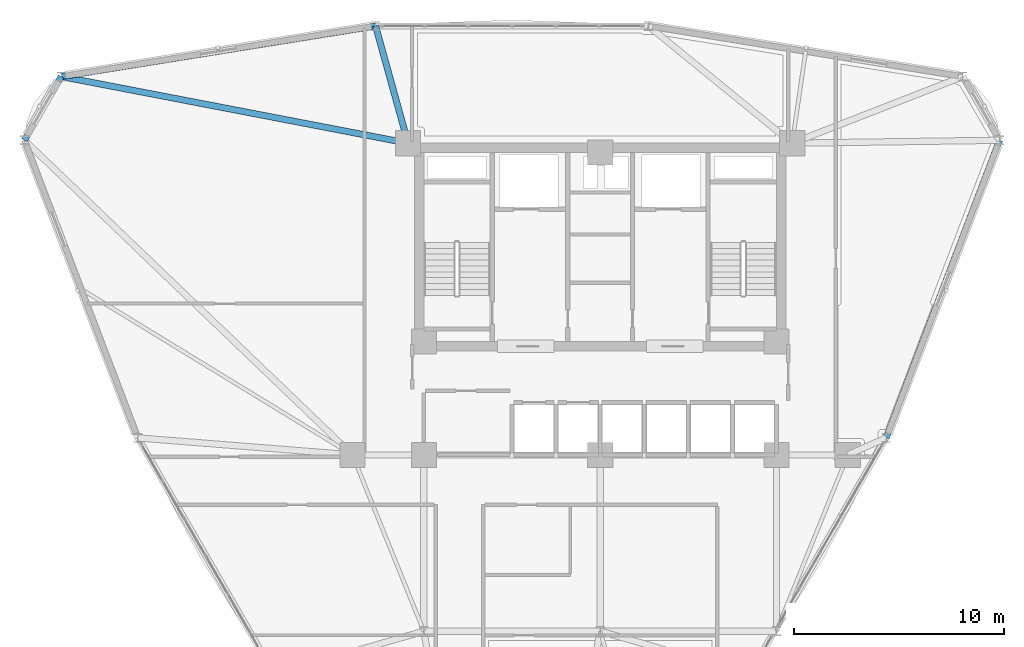
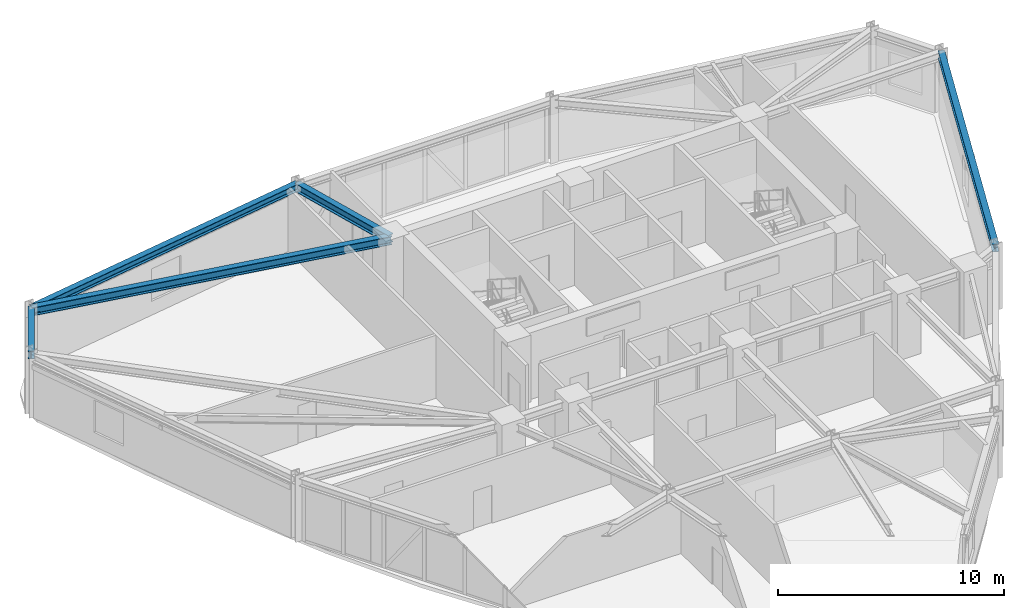
# One storey, part 7 of 15: 5 beams.
"""IFC4 building model written with IfcOpenShell, lengths in metres."""

from ifc_helpers import new_model, si_unit, derived_unit, direction, frame, origin, origin_2d, place, context, subcontext, project, spatial, i_section, extrude, source, transform, mapped, material, material_profile, profile_set, type_object, element, save


model = new_model("IFC4")

# Units and contexts
model_context = context("Model", 3, precision=1e-05, world=origin(), true_north=direction((0.0, 1.0)))
body_context = subcontext(model_context, "Body", "Model", "MODEL_VIEW")
ifc_project = project(units=[si_unit("LENGTHUNIT", "METRE"), si_unit("AREAUNIT", "SQUARE_METRE"), si_unit("VOLUMEUNIT", "CUBIC_METRE"), si_unit("PLANEANGLEUNIT", "RADIAN"), si_unit("MASSUNIT", "GRAM", prefix="KILO"), derived_unit("THERMALTRANSMITTANCEUNIT", [(si_unit("POWERUNIT", "WATT"), 1), (si_unit("LENGTHUNIT", "METRE"), -2), (si_unit("THERMODYNAMICTEMPERATUREUNIT", "KELVIN"), -1)])], contexts=[model_context])

# Site, building, storey
site_placement = place(None, origin())
site = spatial("IfcSite", under=ifc_project, at=site_placement, CompositionType="ELEMENT")
building_placement = place(site_placement, origin())
building = spatial("IfcBuilding", under=site, at=building_placement, Name="Korsvarv Bourse and Concert Hall", CompositionType="ELEMENT")
storey_placement = place(building_placement, frame((0.0, 0.0, 147.0)))
storey = spatial("IfcBuildingStorey", under=building, at=storey_placement, Name="L37", CompositionType="ELEMENT", Elevation=147.0)

# Beams
ifc_material = material(Name="Steel S355", Category="steel")
ifc_material_profile_1 = material_profile(ifc_material, i_section(OverallWidth=0.300048828125, OverallDepth=0.39990234375, WebThickness=0.013427734375, FlangeThickness=0.02392578125, FilletRadius=0.02099609375, at=origin_2d()), Name="HEB 400")
ifc_profile_set_1 = profile_set([ifc_material_profile_1], Name="Steel S355")
beam_type_1 = type_object("IfcBeamType", Name="BM-HEB400", PredefinedType="SPANDREL", material=ifc_profile_set_1)
shared_shape_1 = source(origin(), body_context, "Body", "SweptSolid", [
    extrude(i_section(OverallWidth=0.300048828125, OverallDepth=0.39990234375, WebThickness=0.013427734375, FlangeThickness=0.02392578125, FilletRadius=0.02099609375, at=origin_2d()), origin(), (0.0, 0.0, 1.0), 3.505859375),
])
beam_1_placement = place(storey_placement, frame((10.31884765625, 50.42626953125, 3.199951171875), z_axis=(-0.500003763204, -0.866023231087, 0.0), x_axis=(0.866023231087, -0.500003763204, 0.0)))
element("IfcBeam", 1, at=beam_1_placement, inside=storey, type_object=beam_type_1, Name="L37 beam B-09", PredefinedType="SPANDREL", context=body_context, shape_type="MappedRepresentation", body=[
    mapped(shared_shape_1, transform((0.0, 0.0, 0.0), scale=1.0)),
])
shared_shape_2 = source(origin(), body_context, "Body", "SweptSolid", [
    extrude(i_section(OverallWidth=0.300048828125, OverallDepth=0.39990234375, WebThickness=0.013427734375, FlangeThickness=0.02392578125, FilletRadius=0.02099609375, at=origin_2d()), origin(), (0.0, 0.0, 1.0), 15.173095703125),
])
for number, where, z_axis, x_axis, name in (
    (2, (25.29931640625, 52.83642578125, 3.199951171875), (-0.987303708497, -0.158843908251, 0.0), (0.158843908251, -0.987303708497, 0.0), "L37 beam B-09"),
    (3, (49.631103515625, 33.211669921875, 3.199951171875), (0.356082310226, 0.934454594052, 0.0), (-0.934454594052, 0.356082310226, 0.0), "L37 beam B-09"),
):
    element("IfcBeam", number, at=place(storey_placement, frame(where, z_axis=z_axis, x_axis=x_axis)), inside=storey, type_object=beam_type_1, Name=name, PredefinedType="SPANDREL", context=body_context, shape_type="MappedRepresentation", body=[
        mapped(shared_shape_2, transform((0.0, 0.0, 0.0), scale=1.0)),
    ])
ifc_material_profile_2 = material_profile(ifc_material, i_section(OverallWidth=0.300048828125, OverallDepth=0.449951171875, WebThickness=0.013916015625, FlangeThickness=0.02587890625, FilletRadius=0.02099609375, at=origin_2d()), Name="HEB 450")
ifc_profile_set_2 = profile_set([ifc_material_profile_2], Name="Steel S355")
beam_type_2 = type_object("IfcBeamType", Name="BM-HEB450", PredefinedType="SPANDREL", material=ifc_profile_set_2)
shared_shape_3 = source(origin(), body_context, "Body", "SweptSolid", [
    extrude(i_section(OverallWidth=0.300048828125, OverallDepth=0.449951171875, WebThickness=0.013916015625, FlangeThickness=0.02587890625, FilletRadius=0.02099609375, at=origin_2d()), origin(), (0.0, 0.0, 1.0), 5.797607421875),
])
beam_2_placement = place(storey_placement, frame((25.29931640625, 52.83642578125, 3.175048828125), z_axis=(0.267483141987, -0.963562540136, 0.0), x_axis=(0.963562540136, 0.267483141987, 0.0)))
element("IfcBeam", 4, at=beam_2_placement, inside=storey, type_object=beam_type_2, Name="L37 beam B-08", PredefinedType="SPANDREL", context=body_context, shape_type="MappedRepresentation", body=[
    mapped(shared_shape_3, transform((0.0, 0.0, 0.0), scale=1.0)),
])
shared_shape_4 = source(origin(), body_context, "Body", "SweptSolid", [
    extrude(i_section(OverallWidth=0.300048828125, OverallDepth=0.449951171875, WebThickness=0.013916015625, FlangeThickness=0.02587890625, FilletRadius=0.02099609375, at=origin_2d()), origin(), (0.0, 0.0, 1.0), 16.833740234375),
])
beam_3_placement = place(storey_placement, frame((10.31884765625, 50.42626953125, 3.175048828125), z_axis=(0.982037467571, -0.18868601508, 0.0), x_axis=(0.18868601508, 0.982037467571, 0.0)))
element("IfcBeam", 5, at=beam_3_placement, inside=storey, type_object=beam_type_2, Name="L37 beam B-08", PredefinedType="SPANDREL", context=body_context, shape_type="MappedRepresentation", body=[
    mapped(shared_shape_4, transform((0.0, 0.0, 0.0), scale=1.0)),
])

save(model, "model.ifc")
